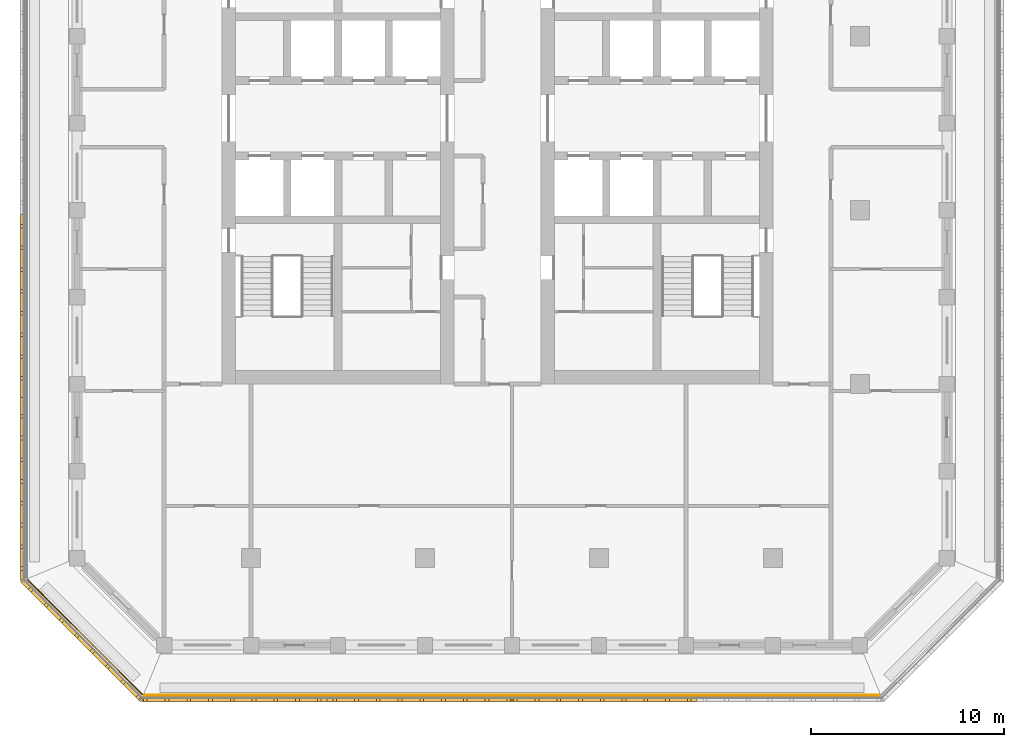
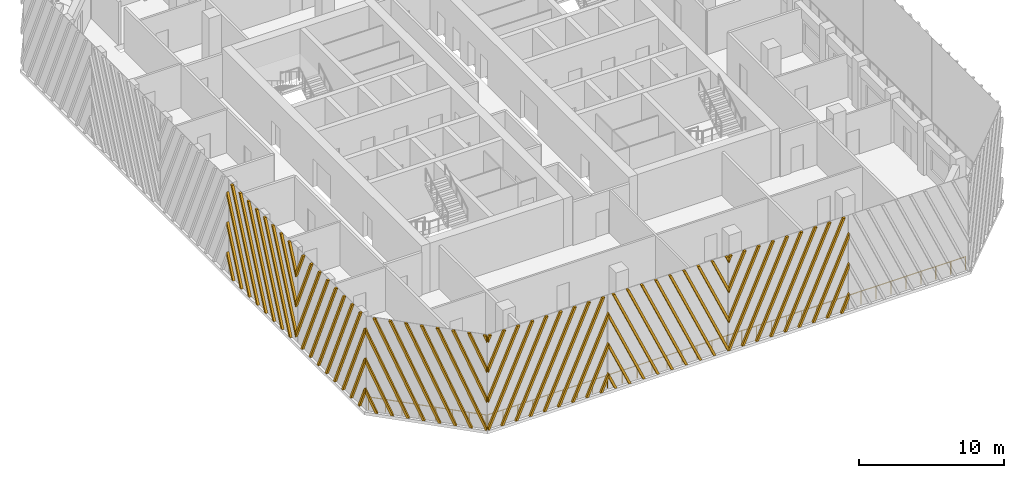
# One storey, part 9 of 17: 6 shading devices, 2 railings.
"""IFC4 building model written with IfcOpenShell, lengths in metres."""

import ifcopenshell
import ifcopenshell.guid

model = None  # the IFC model being written
_history = None  # IfcOwnerHistory: only IFC2X3 demands one
_inside = {}  # id of a spatial element -> (the spatial element, [elements in it])
_under = {}  # id of a project, library or spatial element -> (it, [spatial elements below it])
_declared = {}  # id of a project -> (the project, [libraries it declares])
_typed = {}  # id of a type object -> (the type object, [elements of that type])
_made_of = {}  # id of a material, layer set ... -> (it, [elements and type objects made of it])


def new_model(schema):
    """Start an empty IFC model of exactly this schema.

    Asked for "IFC4X3", IfcOpenShell would pick the latest addendum, in which some entities
    have other attributes; the version numbers below select the first issue.
    IFC2X3 requires an IfcOwnerHistory on every rooted entity: one is made here for all.
    """
    global model, _history
    if schema == "IFC4X3":
        model = ifcopenshell.file(schema_version=(4, 3, 0, 0))
    else:
        model = ifcopenshell.file(schema=schema)
    _inside.clear()
    _under.clear()
    _declared.clear()
    _typed.clear()
    _made_of.clear()
    _history = None
    if model.schema == "IFC2X3":
        org = make("IfcOrganization", Name="unknown")
        user = make(
            "IfcPersonAndOrganization",
            ThePerson=make("IfcPerson", FamilyName="unknown"),
            TheOrganization=org,
        )
        app = make(
            "IfcApplication",
            ApplicationDeveloper=org,
            Version="unknown",
            ApplicationFullName="unknown",
            ApplicationIdentifier="unknown",
        )
        _history = make(
            "IfcOwnerHistory",
            OwningUser=user,
            OwningApplication=app,
            ChangeAction="ADDED",
            CreationDate=0,
        )
    return model


def make(cls, **values):
    """One entity of the class cls with the attributes given. An attribute that is None is left unset."""
    return model.create_entity(
        cls, **{name: value for name, value in values.items() if value is not None}
    )


def rooted(cls, **values):
    """An entity with a GlobalId (a new one), such as an element, a storey or a relation."""
    return make(cls, GlobalId=ifcopenshell.guid.new(), OwnerHistory=_history, **values)


def si_unit(unit_type, name, prefix=None):
    """IfcSIUnit, for example si_unit("LENGTHUNIT", "METRE", prefix="MILLI")."""
    return make("IfcSIUnit", UnitType=unit_type, Prefix=prefix, Name=name)


def assignment(units):
    """IfcUnitAssignment: the units of a project."""
    return None if units is None else make("IfcUnitAssignment", Units=units)


def point(xyz):
    """IfcCartesianPoint."""
    return None if xyz is None else make("IfcCartesianPoint", Coordinates=xyz)


def direction(xyz):
    """IfcDirection."""
    return None if xyz is None else make("IfcDirection", DirectionRatios=xyz)


def frame(location, z_axis=None, x_axis=None):
    """IfcAxis2Placement3D, a coordinate frame: its origin and axes. An axis left out is left unset."""
    return make(
        "IfcAxis2Placement3D",
        Location=point(location),
        Axis=direction(z_axis),
        RefDirection=direction(x_axis),
    )


def frame_2d(location, x_axis=None):
    """IfcAxis2Placement2D, a coordinate frame in the plane: its origin and x axis."""
    return make(
        "IfcAxis2Placement2D", Location=point(location), RefDirection=direction(x_axis)
    )


def origin():
    """The frame at (0, 0, 0) with its axes left unset."""
    return frame((0.0, 0.0, 0.0))


def origin_2d():
    """The frame at (0, 0) in the plane with its x axis left unset."""
    return frame_2d((0.0, 0.0))


def place(relative_to, where):
    """IfcLocalPlacement: puts the frame where relative to a parent placement (None: the world)."""
    return make(
        "IfcLocalPlacement", PlacementRelTo=relative_to, RelativePlacement=where
    )


def context(
    kind, dimensions, precision=None, world=None, true_north=None, identifier=None
):
    """IfcGeometricRepresentationContext, for example the 3D "Model" context."""
    return make(
        "IfcGeometricRepresentationContext",
        ContextIdentifier=identifier,
        ContextType=kind,
        CoordinateSpaceDimension=dimensions,
        Precision=precision,
        WorldCoordinateSystem=world,
        TrueNorth=true_north,
    )


def subcontext(parent, identifier, kind, view, scale=None):
    """IfcGeometricRepresentationSubContext, for example "Body" below "Model"."""
    return make(
        "IfcGeometricRepresentationSubContext",
        ContextIdentifier=identifier,
        ContextType=kind,
        ParentContext=parent,
        TargetScale=scale,
        TargetView=view,
    )


def project(units=None, contexts=None):
    """IfcProject with its units and contexts."""
    return rooted(
        "IfcProject",
        Name="project",
        RepresentationContexts=contexts,
        UnitsInContext=assignment(units),
    )


def spatial(cls, under=None, at=None, **own):
    """A site, building, storey or space (cls), placed at a placement, below another one or the project."""
    s = rooted(cls, ObjectPlacement=at, **own)
    if under is not None:
        _under.setdefault(under.id(), (under, []))[1].append(s)
    return s


def polyline(points):
    """IfcPolyline through the points."""
    return make("IfcPolyline", Points=[point(p) for p in points])


def profile(cls, at=None, kind="AREA", **sizes):
    """A parametric profile (cls). Its sizes go by their IFC names, for example OverallWidth=200.0."""
    return make(cls, ProfileType=kind, Position=at, **sizes)


def circle(**sizes):
    """IfcCircleProfileDef."""
    return profile("IfcCircleProfileDef", **sizes)


def outline(outer, holes=None, kind="AREA"):
    """IfcArbitraryClosedProfileDef: a profile drawn as a closed curve; with holes, ...WithVoids."""
    if holes is None:
        return make("IfcArbitraryClosedProfileDef", ProfileType=kind, OuterCurve=outer)
    return make(
        "IfcArbitraryProfileDefWithVoids",
        ProfileType=kind,
        OuterCurve=outer,
        InnerCurves=holes,
    )


def extrude(swept, where, along, depth):
    """IfcExtrudedAreaSolid: the profile swept, set in the frame where, extruded along a direction by depth."""
    return make(
        "IfcExtrudedAreaSolid",
        SweptArea=swept,
        Position=where,
        ExtrudedDirection=direction(along),
        Depth=depth,
    )


def shape(context_of_items, identifier, shape_type, items):
    """IfcShapeRepresentation: the items that make up one representation, for example the "Body"."""
    return make(
        "IfcShapeRepresentation",
        ContextOfItems=context_of_items,
        RepresentationIdentifier=identifier,
        RepresentationType=shape_type,
        Items=items,
    )


def source(mapping_origin, context_of_items, identifier, shape_type, items):
    """IfcRepresentationMap: a shape defined once, which mapped items show again and again."""
    return make(
        "IfcRepresentationMap",
        MappingOrigin=mapping_origin,
        MappedRepresentation=shape(context_of_items, identifier, shape_type, items),
    )


def transform(
    local_origin,
    x_axis=None,
    y_axis=None,
    z_axis=None,
    scale=None,
    scale2=None,
    scale3=None,
    uniform=True,
):
    """IfcCartesianTransformationOperator3D, or its non-uniform kind. x_axis, y_axis, z_axis: its Axis1, 2, 3."""
    if uniform:
        return make(
            "IfcCartesianTransformationOperator3D",
            Axis1=direction(x_axis),
            Axis2=direction(y_axis),
            LocalOrigin=point(local_origin),
            Scale=scale,
            Axis3=direction(z_axis),
        )
    return make(
        "IfcCartesianTransformationOperator3DnonUniform",
        Axis1=direction(x_axis),
        Axis2=direction(y_axis),
        LocalOrigin=point(local_origin),
        Scale=scale,
        Axis3=direction(z_axis),
        Scale2=scale2,
        Scale3=scale3,
    )


def mapped(mapping_source, mapping_target):
    """IfcMappedItem: shows the shape of a source again, moved by a transform."""
    return make(
        "IfcMappedItem", MappingSource=mapping_source, MappingTarget=mapping_target
    )


def material(Name=None, Category=None):
    """IfcMaterial."""
    return make("IfcMaterial", Name=Name, Category=Category)


def made_of(thing, what):
    """Note that an element or type object is made of a material, layer set ...; save() writes the relation."""
    if what is not None:
        _made_of.setdefault(what.id(), (what, []))[1].append(thing)
    return thing


def type_object(cls, material=None, **own):
    """A type object (cls), such as IfcWallType, which elements share."""
    return made_of(rooted(cls, **own), material)


def element(
    cls,
    number,
    at=None,
    inside=None,
    cuts=None,
    type_object=None,
    material=None,
    context=None,
    identifier="Body",
    shape_type=None,
    held_by="IfcProductDefinitionShape",
    body=None,
    shapes=None,
    **own,
):
    """One element of the class cls, such as IfcWall. Its Tag is "e" and its number.

    at: its placement. inside: the storey or other place that contains it. cuts: it is an
    opening in that element (IfcRelVoidsElement). A single representation is given by context,
    identifier, shape_type and body (its items); several are given by shapes. held_by: the class
    of the entity that holds the representations. save() writes the other relations.
    """
    e = rooted(cls, Tag="e%d" % number, ObjectPlacement=at, **own)
    if body is not None:
        shapes = [shape(context, identifier, shape_type, body)]
    if shapes is not None:
        e.Representation = make(held_by, Representations=shapes)
    if inside is not None:
        _inside.setdefault(inside.id(), (inside, []))[1].append(e)
    if cuts is not None:
        rooted(
            "IfcRelVoidsElement", RelatingBuildingElement=cuts, RelatedOpeningElement=e
        )
    if type_object is not None:
        _typed.setdefault(type_object.id(), (type_object, []))[1].append(e)
    return made_of(e, material)


def aggregate(whole, parts):
    """IfcRelAggregates: a whole, such as a stair, and the parts it consists of."""
    return rooted("IfcRelAggregates", RelatingObject=whole, RelatedObjects=parts)


def save(model, path):
    """Write the relations noted so far, then the file.

    IfcRelAggregates (storeys below a building ...), IfcRelContainedInSpatialStructure (elements
    in a storey), IfcRelDefinesByType, IfcRelAssociatesMaterial and IfcRelDeclares: one each for
    every whole, place, type object, material and project.
    """
    for whole, parts in _under.values():
        aggregate(whole, parts)
    for where, things in _inside.values():
        rooted(
            "IfcRelContainedInSpatialStructure",
            RelatedElements=things,
            RelatingStructure=where,
        )
    for kind, things in _typed.values():
        rooted("IfcRelDefinesByType", RelatedObjects=things, RelatingType=kind)
    for what, things in _made_of.values():
        rooted("IfcRelAssociatesMaterial", RelatedObjects=things, RelatingMaterial=what)
    for by, libraries in _declared.values():
        rooted("IfcRelDeclares", RelatingContext=by, RelatedDefinitions=libraries)
    model.write(path)


model = new_model("IFC4")

# Units and contexts
model_context = context("Model", 3, precision=1e-05, world=origin(), true_north=direction((0.0, 1.0)))
body_context = subcontext(model_context, "Body", "Model", "MODEL_VIEW")
ifc_project = project(units=[si_unit("LENGTHUNIT", "METRE"), si_unit("AREAUNIT", "SQUARE_METRE"), si_unit("VOLUMEUNIT", "CUBIC_METRE"), si_unit("PLANEANGLEUNIT", "RADIAN"), si_unit("MASSUNIT", "GRAM", prefix="KILO")], contexts=[model_context])

# Site, building, storey
site_placement = place(None, origin())
site = spatial("IfcSite", under=ifc_project, at=site_placement, CompositionType="ELEMENT")
building_placement = place(site_placement, origin())
building = spatial("IfcBuilding", under=site, at=building_placement, Name="Corbel Stack Research Tower", CompositionType="ELEMENT")
storey_placement = place(building_placement, frame((0.0, 0.0, 231.60009765625)))
storey = spatial("IfcBuildingStorey", under=building, at=storey_placement, Name="L52", CompositionType="ELEMENT", Elevation=231.60009765625)

# Railings
ifc_material_1 = material(Name="Powder-coated steel guard", Category="steel")
railing_type = type_object("IfcRailingType", Name="Steel and glass guard 1100", PredefinedType="GUARDRAIL", material=ifc_material_1)
railing_1_placement = place(storey_placement, frame((-14.50537109375, -25.10009765625, 0.0)))
element("IfcRailing", 1, at=railing_1_placement, inside=storey, type_object=railing_type, Name="Loggia guard L52 S", PredefinedType="GUARDRAIL", context=body_context, shape_type="SweptSolid", body=[
    extrude(circle(Radius=0.02392578125, at=origin_2d()), frame((0.0, 0.0, 1.076171875), z_axis=(1.0, 0.0, 0.0), x_axis=(0.0, 1.0, 0.0)), (0.0, 0.0, 1.0), 38.0107421875),
    extrude(circle(Radius=0.02099609375, at=origin_2d()), origin(), (0.0, 0.0, 1.0), 1.052001953125),
    extrude(circle(Radius=0.02099609375, at=origin_2d()), frame((1.187744140625, 0.0, 0.0)), (0.0, 0.0, 1.0), 1.052001953125),
    extrude(circle(Radius=0.02099609375, at=origin_2d()), frame((2.375732421875, 0.0, 0.0)), (0.0, 0.0, 1.0), 1.052001953125),
    extrude(circle(Radius=0.02099609375, at=origin_2d()), frame((3.5634765625, 0.0, 0.0)), (0.0, 0.0, 1.0), 1.052001953125),
    extrude(circle(Radius=0.02099609375, at=origin_2d()), frame((4.75146484375, 0.0, 0.0)), (0.0, 0.0, 1.0), 1.052001953125),
    extrude(circle(Radius=0.02099609375, at=origin_2d()), frame((5.939208984375, 0.0, 0.0)), (0.0, 0.0, 1.0), 1.052001953125),
    extrude(circle(Radius=0.02099609375, at=origin_2d()), frame((7.126953125, 0.0, 0.0)), (0.0, 0.0, 1.0), 1.052001953125),
    extrude(circle(Radius=0.02099609375, at=origin_2d()), frame((8.31494140625, 0.0, 0.0)), (0.0, 0.0, 1.0), 1.052001953125),
    extrude(circle(Radius=0.02099609375, at=origin_2d()), frame((9.502685546875, 0.0, 0.0)), (0.0, 0.0, 1.0), 1.052001953125),
    extrude(circle(Radius=0.02099609375, at=origin_2d()), frame((10.6904296875, 0.0, 0.0)), (0.0, 0.0, 1.0), 1.052001953125),
    extrude(circle(Radius=0.02099609375, at=origin_2d()), frame((11.87841796875, 0.0, 0.0)), (0.0, 0.0, 1.0), 1.052001953125),
    extrude(circle(Radius=0.02099609375, at=origin_2d()), frame((13.066162109375, 0.0, 0.0)), (0.0, 0.0, 1.0), 1.052001953125),
    extrude(circle(Radius=0.02099609375, at=origin_2d()), frame((14.25390625, 0.0, 0.0)), (0.0, 0.0, 1.0), 1.052001953125),
    extrude(circle(Radius=0.02099609375, at=origin_2d()), frame((15.44189453125, 0.0, 0.0)), (0.0, 0.0, 1.0), 1.052001953125),
    extrude(circle(Radius=0.02099609375, at=origin_2d()), frame((16.629638671875, 0.0, 0.0)), (0.0, 0.0, 1.0), 1.052001953125),
    extrude(circle(Radius=0.02099609375, at=origin_2d()), frame((17.817626953125, 0.0, 0.0)), (0.0, 0.0, 1.0), 1.052001953125),
    extrude(circle(Radius=0.02099609375, at=origin_2d()), frame((19.00537109375, 0.0, 0.0)), (0.0, 0.0, 1.0), 1.052001953125),
    extrude(circle(Radius=0.02099609375, at=origin_2d()), frame((20.193115234375, 0.0, 0.0)), (0.0, 0.0, 1.0), 1.052001953125),
    extrude(circle(Radius=0.02099609375, at=origin_2d()), frame((21.381103515625, 0.0, 0.0)), (0.0, 0.0, 1.0), 1.052001953125),
    extrude(circle(Radius=0.02099609375, at=origin_2d()), frame((22.56884765625, 0.0, 0.0)), (0.0, 0.0, 1.0), 1.052001953125),
    extrude(circle(Radius=0.02099609375, at=origin_2d()), frame((23.7568359375, 0.0, 0.0)), (0.0, 0.0, 1.0), 1.052001953125),
    extrude(circle(Radius=0.02099609375, at=origin_2d()), frame((24.944580078125, 0.0, 0.0)), (0.0, 0.0, 1.0), 1.052001953125),
    extrude(circle(Radius=0.02099609375, at=origin_2d()), frame((26.13232421875, 0.0, 0.0)), (0.0, 0.0, 1.0), 1.052001953125),
    extrude(circle(Radius=0.02099609375, at=origin_2d()), frame((27.3203125, 0.0, 0.0)), (0.0, 0.0, 1.0), 1.052001953125),
    extrude(circle(Radius=0.02099609375, at=origin_2d()), frame((28.508056640625, 0.0, 0.0)), (0.0, 0.0, 1.0), 1.052001953125),
    extrude(circle(Radius=0.02099609375, at=origin_2d()), frame((29.69580078125, 0.0, 0.0)), (0.0, 0.0, 1.0), 1.052001953125),
    extrude(circle(Radius=0.02099609375, at=origin_2d()), frame((30.8837890625, 0.0, 0.0)), (0.0, 0.0, 1.0), 1.052001953125),
    extrude(circle(Radius=0.02099609375, at=origin_2d()), frame((32.071533203125, 0.0, 0.0)), (0.0, 0.0, 1.0), 1.052001953125),
    extrude(circle(Radius=0.02099609375, at=origin_2d()), frame((33.25927734375, 0.0, 0.0)), (0.0, 0.0, 1.0), 1.052001953125),
    extrude(circle(Radius=0.02099609375, at=origin_2d()), frame((34.447265625, 0.0, 0.0)), (0.0, 0.0, 1.0), 1.052001953125),
    extrude(circle(Radius=0.02099609375, at=origin_2d()), frame((35.635009765625, 0.0, 0.0)), (0.0, 0.0, 1.0), 1.052001953125),
    extrude(circle(Radius=0.02099609375, at=origin_2d()), frame((36.822998046875, 0.0, 0.0)), (0.0, 0.0, 1.0), 1.052001953125),
    extrude(circle(Radius=0.02099609375, at=origin_2d()), frame((38.0107421875, 0.0, 0.0)), (0.0, 0.0, 1.0), 1.052001953125),
])
railing_2_placement = place(storey_placement, frame((-20.54931640625, -19.127685546875, 0.0)))
element("IfcRailing", 2, at=railing_2_placement, inside=storey, type_object=railing_type, Name="Loggia guard L52 SW", PredefinedType="GUARDRAIL", context=body_context, shape_type="SweptSolid", body=[
    extrude(circle(Radius=0.02392578125, at=origin_2d()), frame((0.0, 0.0, 1.076171875), z_axis=(0.707106781187, -0.707106781187, 0.0), x_axis=(0.707106781187, 0.707106781187, 0.0)), (0.0, 0.0, 1.0), 8.37451171875),
    extrude(circle(Radius=0.02099609375, at=origin_2d()), origin(), (0.0, 0.0, 1.0), 1.052001953125),
    extrude(circle(Radius=0.02099609375, at=origin_2d()), frame((0.845947265625, -0.845947265625, 0.0)), (0.0, 0.0, 1.0), 1.052001953125),
    extrude(circle(Radius=0.02099609375, at=origin_2d()), frame((1.69189453125, -1.69189453125, 0.0)), (0.0, 0.0, 1.0), 1.052001953125),
    extrude(circle(Radius=0.02099609375, at=origin_2d()), frame((2.537841796875, -2.537841796875, 0.0)), (0.0, 0.0, 1.0), 1.052001953125),
    extrude(circle(Radius=0.02099609375, at=origin_2d()), frame((3.3837890625, -3.3837890625, 0.0)), (0.0, 0.0, 1.0), 1.052001953125),
    extrude(circle(Radius=0.02099609375, at=origin_2d()), frame((4.229736328125, -4.229736328125, 0.0)), (0.0, 0.0, 1.0), 1.052001953125),
    extrude(circle(Radius=0.02099609375, at=origin_2d()), frame((5.07568359375, -5.07568359375, 0.0)), (0.0, 0.0, 1.0), 1.052001953125),
    extrude(circle(Radius=0.02099609375, at=origin_2d()), frame((5.921630859375, -5.921630859375, 0.0)), (0.0, 0.0, 1.0), 1.052001953125),
])

# Shading devices
ifc_material_2 = material(Name="Precast terracotta", Category="masonry")
shading_device_type = type_object("IfcShadingDeviceType", Name="Terracotta screen panel", PredefinedType="USERDEFINED", material=ifc_material_2)
shared_shape_1 = source(origin(), body_context, "Body", "SweptSolid", [
    extrude(outline(polyline([(0.259521484375, 7.949951171875), (0.069580078125, 7.949951171875), (0.0, 7.793701171875), (0.0, 7.366943359375), (0.259521484375, 7.949951171875)])), frame((0.0, 0.0, 0.0), z_axis=(0.0, -1.0, 0.0), x_axis=(1.0, 0.0, 0.0)), (0.0, 0.0, 1.0), 0.179931640625),
    extrude(outline(polyline([(1.384521484375, 7.949951171875), (1.194580078125, 7.949951171875), (0.0, 5.26708984375), (0.0, 4.840087890625), (1.384521484375, 7.949951171875)])), frame((0.0, 0.0, 0.0), z_axis=(0.0, -1.0, 0.0), x_axis=(1.0, 0.0, 0.0)), (0.0, 0.0, 1.0), 0.179931640625),
    extrude(outline(polyline([(2.509521484375, 7.949951171875), (2.319580078125, 7.949951171875), (0.0, 2.740234375), (0.0, 2.3134765625), (2.509521484375, 7.949951171875)])), frame((0.0, 0.0, 0.0), z_axis=(0.0, -1.0, 0.0), x_axis=(1.0, 0.0, 0.0)), (0.0, 0.0, 1.0), 0.179931640625),
    extrude(outline(polyline([(0.094970703125, 0.0), (3.634521484375, 7.949951171875), (3.444580078125, 7.949951171875), (0.0, 0.21337890625), (0.0, 0.0), (0.094970703125, 0.0)])), frame((0.0, 0.0, 0.0), z_axis=(0.0, -1.0, 0.0), x_axis=(1.0, 0.0, 0.0)), (0.0, 0.0, 1.0), 0.179931640625),
    extrude(outline(polyline([(1.219970703125, 0.0), (4.759521484375, 7.949951171875), (4.569580078125, 7.949951171875), (1.030029296875, 0.0), (1.219970703125, 0.0)])), frame((0.0, 0.0, 0.0), z_axis=(0.0, -1.0, 0.0), x_axis=(1.0, 0.0, 0.0)), (0.0, 0.0, 1.0), 0.179931640625),
    extrude(outline(polyline([(2.344970703125, 0.0), (5.884521484375, 7.949951171875), (5.694580078125, 7.949951171875), (2.155029296875, 0.0), (2.344970703125, 0.0)])), frame((0.0, 0.0, 0.0), z_axis=(0.0, -1.0, 0.0), x_axis=(1.0, 0.0, 0.0)), (0.0, 0.0, 1.0), 0.179931640625),
    extrude(outline(polyline([(3.469970703125, 0.0), (7.009521484375, 7.949951171875), (6.819580078125, 7.949951171875), (3.280029296875, 0.0), (3.469970703125, 0.0)])), frame((0.0, 0.0, 0.0), z_axis=(0.0, -1.0, 0.0), x_axis=(1.0, 0.0, 0.0)), (0.0, 0.0, 1.0), 0.179931640625),
    extrude(outline(polyline([(4.594970703125, 0.0), (8.134521484375, 7.949951171875), (7.944580078125, 7.949951171875), (4.405029296875, 0.0), (4.594970703125, 0.0)])), frame((0.0, 0.0, 0.0), z_axis=(0.0, -1.0, 0.0), x_axis=(1.0, 0.0, 0.0)), (0.0, 0.0, 1.0), 0.179931640625),
    extrude(outline(polyline([(5.719970703125, 0.0), (9.259521484375, 7.949951171875), (9.069580078125, 7.949951171875), (5.530029296875, 0.0), (5.719970703125, 0.0)])), frame((0.0, 0.0, 0.0), z_axis=(0.0, -1.0, 0.0), x_axis=(1.0, 0.0, 0.0)), (0.0, 0.0, 1.0), 0.179931640625),
    extrude(outline(polyline([(6.844970703125, 0.0), (9.569580078125, 6.119384765625), (9.569580078125, 6.546142578125), (6.655029296875, 0.0), (6.844970703125, 0.0)])), frame((0.0, 0.0, 0.0), z_axis=(0.0, -1.0, 0.0), x_axis=(1.0, 0.0, 0.0)), (0.0, 0.0, 1.0), 0.179931640625),
    extrude(outline(polyline([(7.969970703125, 0.0), (9.569580078125, 3.592529296875), (9.569580078125, 4.019287109375), (7.780029296875, 0.0), (7.969970703125, 0.0)])), frame((0.0, 0.0, 0.0), z_axis=(0.0, -1.0, 0.0), x_axis=(1.0, 0.0, 0.0)), (0.0, 0.0, 1.0), 0.179931640625),
    extrude(outline(polyline([(9.094970703125, 0.0), (9.569580078125, 1.06591796875), (9.569580078125, 1.49267578125), (8.905029296875, 0.0), (9.094970703125, 0.0)])), frame((0.0, 0.0, 0.0), z_axis=(0.0, -1.0, 0.0), x_axis=(1.0, 0.0, 0.0)), (0.0, 0.0, 1.0), 0.179931640625),
])
for number, where, z_axis, x_axis, name in (
    (3, (-14.63916015625, -25.25, 0.0), (0.0, 0.0, 1.0), (1.0, 0.0, 0.0), "Terracotta screen L52 S1"),
    (4, (4.5, -25.25, 0.0), (0.0, 0.0, 1.0), (1.0, 0.0, 0.0), "Terracotta screen L52 S3"),
):
    element("IfcShadingDevice", number, at=place(storey_placement, frame(where, z_axis=z_axis, x_axis=x_axis)), inside=storey, type_object=shading_device_type, Name=name, ObjectType="SCREEN", PredefinedType="USERDEFINED", context=body_context, shape_type="MappedRepresentation", body=[
        mapped(shared_shape_1, transform((0.0, 0.0, 0.0))),
    ])
shared_shape_2 = source(origin(), body_context, "Body", "SweptSolid", [
    extrude(outline(polyline([(0.66455078125, 0.0), (0.0, 1.49267578125), (0.0, 1.06591796875), (0.474609375, 0.0), (0.66455078125, 0.0)])), frame((0.0, 0.0, 0.0), z_axis=(0.0, -1.0, 0.0), x_axis=(1.0, 0.0, 0.0)), (0.0, 0.0, 1.0), 0.179931640625),
    extrude(outline(polyline([(1.78955078125, 0.0), (0.0, 4.019287109375), (0.0, 3.592529296875), (1.599609375, 0.0), (1.78955078125, 0.0)])), frame((0.0, 0.0, 0.0), z_axis=(0.0, -1.0, 0.0), x_axis=(1.0, 0.0, 0.0)), (0.0, 0.0, 1.0), 0.179931640625),
    extrude(outline(polyline([(2.91455078125, 0.0), (0.0, 6.546142578125), (0.0, 6.119384765625), (2.724609375, 0.0), (2.91455078125, 0.0)])), frame((0.0, 0.0, 0.0), z_axis=(0.0, -1.0, 0.0), x_axis=(1.0, 0.0, 0.0)), (0.0, 0.0, 1.0), 0.179931640625),
    extrude(outline(polyline([(4.03955078125, 0.0), (0.5, 7.949951171875), (0.31005859375, 7.949951171875), (3.849609375, 0.0), (4.03955078125, 0.0)])), frame((0.0, 0.0, 0.0), z_axis=(0.0, -1.0, 0.0), x_axis=(1.0, 0.0, 0.0)), (0.0, 0.0, 1.0), 0.179931640625),
    extrude(outline(polyline([(5.16455078125, 0.0), (1.625, 7.949951171875), (1.43505859375, 7.949951171875), (4.974609375, 0.0), (5.16455078125, 0.0)])), frame((0.0, 0.0, 0.0), z_axis=(0.0, -1.0, 0.0), x_axis=(1.0, 0.0, 0.0)), (0.0, 0.0, 1.0), 0.179931640625),
    extrude(outline(polyline([(6.28955078125, 0.0), (2.75, 7.949951171875), (2.56005859375, 7.949951171875), (6.099609375, 0.0), (6.28955078125, 0.0)])), frame((0.0, 0.0, 0.0), z_axis=(0.0, -1.0, 0.0), x_axis=(1.0, 0.0, 0.0)), (0.0, 0.0, 1.0), 0.179931640625),
    extrude(outline(polyline([(7.41455078125, 0.0), (3.875, 7.949951171875), (3.68505859375, 7.949951171875), (7.224609375, 0.0), (7.41455078125, 0.0)])), frame((0.0, 0.0, 0.0), z_axis=(0.0, -1.0, 0.0), x_axis=(1.0, 0.0, 0.0)), (0.0, 0.0, 1.0), 0.179931640625),
    extrude(outline(polyline([(8.53955078125, 0.0), (5.0, 7.949951171875), (4.81005859375, 7.949951171875), (8.349609375, 0.0), (8.53955078125, 0.0)])), frame((0.0, 0.0, 0.0), z_axis=(0.0, -1.0, 0.0), x_axis=(1.0, 0.0, 0.0)), (0.0, 0.0, 1.0), 0.179931640625),
    extrude(outline(polyline([(9.569580078125, 0.0), (9.569580078125, 0.21337890625), (6.125, 7.949951171875), (5.93505859375, 7.949951171875), (9.474609375, 0.0), (9.569580078125, 0.0)])), frame((0.0, 0.0, 0.0), z_axis=(0.0, -1.0, 0.0), x_axis=(1.0, 0.0, 0.0)), (0.0, 0.0, 1.0), 0.179931640625),
    extrude(outline(polyline([(7.25, 7.949951171875), (7.06005859375, 7.949951171875), (9.569580078125, 2.3134765625), (9.569580078125, 2.740234375), (7.25, 7.949951171875)])), frame((0.0, 0.0, 0.0), z_axis=(0.0, -1.0, 0.0), x_axis=(1.0, 0.0, 0.0)), (0.0, 0.0, 1.0), 0.179931640625),
    extrude(outline(polyline([(8.375, 7.949951171875), (8.18505859375, 7.949951171875), (9.569580078125, 4.840087890625), (9.569580078125, 5.26708984375), (8.375, 7.949951171875)])), frame((0.0, 0.0, 0.0), z_axis=(0.0, -1.0, 0.0), x_axis=(1.0, 0.0, 0.0)), (0.0, 0.0, 1.0), 0.179931640625),
    extrude(outline(polyline([(9.5, 7.949951171875), (9.31005859375, 7.949951171875), (9.569580078125, 7.366943359375), (9.569580078125, 7.793701171875), (9.5, 7.949951171875)])), frame((0.0, 0.0, 0.0), z_axis=(0.0, -1.0, 0.0), x_axis=(1.0, 0.0, 0.0)), (0.0, 0.0, 1.0), 0.179931640625),
])
shading_device_1_placement = place(storey_placement, frame((-5.069580078125, -25.25, 0.0), z_axis=(0.0, 0.0, 1.0), x_axis=(1.0, 0.0, 0.0)))
element("IfcShadingDevice", 5, at=shading_device_1_placement, inside=storey, type_object=shading_device_type, Name="Terracotta screen L52 S2", ObjectType="SCREEN", PredefinedType="USERDEFINED", context=body_context, shape_type="MappedRepresentation", body=[
    mapped(shared_shape_2, transform((0.0, 0.0, 0.0))),
])
shared_shape_3 = source(origin(), body_context, "Body", "SweptSolid", [
    extrude(outline(polyline([(0.862060546875, 0.0), (0.0, 1.936279296875), (0.0, 1.509521484375), (0.672119140625, 0.0), (0.862060546875, 0.0)])), frame((0.0, 0.0, 0.0), z_axis=(0.0, -1.0, 0.0), x_axis=(1.0, 0.0, 0.0)), (0.0, 0.0, 1.0), 0.179931640625),
    extrude(outline(polyline([(1.987060546875, 0.0), (0.0, 4.463134765625), (0.0, 4.036376953125), (1.797119140625, 0.0), (1.987060546875, 0.0)])), frame((0.0, 0.0, 0.0), z_axis=(0.0, -1.0, 0.0), x_axis=(1.0, 0.0, 0.0)), (0.0, 0.0, 1.0), 0.179931640625),
    extrude(outline(polyline([(3.112060546875, 0.0), (0.0, 6.989990234375), (0.0, 6.563232421875), (2.922119140625, 0.0), (3.112060546875, 0.0)])), frame((0.0, 0.0, 0.0), z_axis=(0.0, -1.0, 0.0), x_axis=(1.0, 0.0, 0.0)), (0.0, 0.0, 1.0), 0.179931640625),
    extrude(outline(polyline([(4.237060546875, 0.0), (0.697509765625, 7.949951171875), (0.507568359375, 7.949951171875), (4.047119140625, 0.0), (4.237060546875, 0.0)])), frame((0.0, 0.0, 0.0), z_axis=(0.0, -1.0, 0.0), x_axis=(1.0, 0.0, 0.0)), (0.0, 0.0, 1.0), 0.179931640625),
    extrude(outline(polyline([(5.362060546875, 0.0), (1.822509765625, 7.949951171875), (1.632568359375, 7.949951171875), (5.172119140625, 0.0), (5.362060546875, 0.0)])), frame((0.0, 0.0, 0.0), z_axis=(0.0, -1.0, 0.0), x_axis=(1.0, 0.0, 0.0)), (0.0, 0.0, 1.0), 0.179931640625),
    extrude(outline(polyline([(6.487060546875, 0.0), (2.947509765625, 7.949951171875), (2.757568359375, 7.949951171875), (6.297119140625, 0.0), (6.487060546875, 0.0)])), frame((0.0, 0.0, 0.0), z_axis=(0.0, -1.0, 0.0), x_axis=(1.0, 0.0, 0.0)), (0.0, 0.0, 1.0), 0.179931640625),
    extrude(outline(polyline([(7.612060546875, 0.0), (4.072509765625, 7.949951171875), (3.882568359375, 7.949951171875), (7.422119140625, 0.0), (7.612060546875, 0.0)])), frame((0.0, 0.0, 0.0), z_axis=(0.0, -1.0, 0.0), x_axis=(1.0, 0.0, 0.0)), (0.0, 0.0, 1.0), 0.179931640625),
    extrude(outline(polyline([(8.737060546875, 0.0), (5.197509765625, 7.949951171875), (5.007568359375, 7.949951171875), (8.547119140625, 0.0), (8.737060546875, 0.0)])), frame((0.0, 0.0, 0.0), z_axis=(0.0, -1.0, 0.0), x_axis=(1.0, 0.0, 0.0)), (0.0, 0.0, 1.0), 0.179931640625),
    extrude(outline(polyline([(6.322509765625, 7.949951171875), (6.132568359375, 7.949951171875), (9.45556640625, 0.486328125), (9.45556640625, 0.9130859375), (6.322509765625, 7.949951171875)])), frame((0.0, 0.0, 0.0), z_axis=(0.0, -1.0, 0.0), x_axis=(1.0, 0.0, 0.0)), (0.0, 0.0, 1.0), 0.179931640625),
    extrude(outline(polyline([(7.447509765625, 7.949951171875), (7.257568359375, 7.949951171875), (9.45556640625, 3.01318359375), (9.45556640625, 3.439697265625), (7.447509765625, 7.949951171875)])), frame((0.0, 0.0, 0.0), z_axis=(0.0, -1.0, 0.0), x_axis=(1.0, 0.0, 0.0)), (0.0, 0.0, 1.0), 0.179931640625),
    extrude(outline(polyline([(8.572509765625, 7.949951171875), (8.382568359375, 7.949951171875), (9.45556640625, 5.539794921875), (9.45556640625, 5.966552734375), (8.572509765625, 7.949951171875)])), frame((0.0, 0.0, 0.0), z_axis=(0.0, -1.0, 0.0), x_axis=(1.0, 0.0, 0.0)), (0.0, 0.0, 1.0), 0.179931640625),
])
shading_device_2_placement = place(storey_placement, frame((-20.75, -0.227783203125, 0.0), z_axis=(0.0, 0.0, 1.0), x_axis=(0.0, -1.0, 0.0)))
element("IfcShadingDevice", 6, at=shading_device_2_placement, inside=storey, type_object=shading_device_type, Name="Terracotta screen L52 W4", ObjectType="SCREEN", PredefinedType="USERDEFINED", context=body_context, shape_type="MappedRepresentation", body=[
    mapped(shared_shape_3, transform((0.0, 0.0, 0.0))),
])
shared_shape_4 = source(origin(), body_context, "Body", "SweptSolid", [
    extrude(outline(polyline([(1.072998046875, 7.949951171875), (0.883056640625, 7.949951171875), (0.0, 5.966552734375), (0.0, 5.539794921875), (1.072998046875, 7.949951171875)])), frame((0.0, 0.0, 0.0), z_axis=(0.0, -1.0, 0.0), x_axis=(1.0, 0.0, 0.0)), (0.0, 0.0, 1.0), 0.179931640625),
    extrude(outline(polyline([(2.197998046875, 7.949951171875), (2.008056640625, 7.949951171875), (0.0, 3.439697265625), (0.0, 3.01318359375), (2.197998046875, 7.949951171875)])), frame((0.0, 0.0, 0.0), z_axis=(0.0, -1.0, 0.0), x_axis=(1.0, 0.0, 0.0)), (0.0, 0.0, 1.0), 0.179931640625),
    extrude(outline(polyline([(3.322998046875, 7.949951171875), (3.133056640625, 7.949951171875), (0.0, 0.9130859375), (0.0, 0.486328125), (3.322998046875, 7.949951171875)])), frame((0.0, 0.0, 0.0), z_axis=(0.0, -1.0, 0.0), x_axis=(1.0, 0.0, 0.0)), (0.0, 0.0, 1.0), 0.179931640625),
    extrude(outline(polyline([(0.908447265625, 0.0), (4.447998046875, 7.949951171875), (4.258056640625, 7.949951171875), (0.718505859375, 0.0), (0.908447265625, 0.0)])), frame((0.0, 0.0, 0.0), z_axis=(0.0, -1.0, 0.0), x_axis=(1.0, 0.0, 0.0)), (0.0, 0.0, 1.0), 0.179931640625),
    extrude(outline(polyline([(2.033447265625, 0.0), (5.572998046875, 7.949951171875), (5.383056640625, 7.949951171875), (1.843505859375, 0.0), (2.033447265625, 0.0)])), frame((0.0, 0.0, 0.0), z_axis=(0.0, -1.0, 0.0), x_axis=(1.0, 0.0, 0.0)), (0.0, 0.0, 1.0), 0.179931640625),
    extrude(outline(polyline([(3.158447265625, 0.0), (6.697998046875, 7.949951171875), (6.508056640625, 7.949951171875), (2.968505859375, 0.0), (3.158447265625, 0.0)])), frame((0.0, 0.0, 0.0), z_axis=(0.0, -1.0, 0.0), x_axis=(1.0, 0.0, 0.0)), (0.0, 0.0, 1.0), 0.179931640625),
    extrude(outline(polyline([(4.283447265625, 0.0), (7.822998046875, 7.949951171875), (7.633056640625, 7.949951171875), (4.093505859375, 0.0), (4.283447265625, 0.0)])), frame((0.0, 0.0, 0.0), z_axis=(0.0, -1.0, 0.0), x_axis=(1.0, 0.0, 0.0)), (0.0, 0.0, 1.0), 0.179931640625),
    extrude(outline(polyline([(5.408447265625, 0.0), (8.947998046875, 7.949951171875), (8.758056640625, 7.949951171875), (5.218505859375, 0.0), (5.408447265625, 0.0)])), frame((0.0, 0.0, 0.0), z_axis=(0.0, -1.0, 0.0), x_axis=(1.0, 0.0, 0.0)), (0.0, 0.0, 1.0), 0.179931640625),
    extrude(outline(polyline([(6.533447265625, 0.0), (9.45556640625, 6.563232421875), (9.45556640625, 6.989990234375), (6.343505859375, 0.0), (6.533447265625, 0.0)])), frame((0.0, 0.0, 0.0), z_axis=(0.0, -1.0, 0.0), x_axis=(1.0, 0.0, 0.0)), (0.0, 0.0, 1.0), 0.179931640625),
    extrude(outline(polyline([(7.658447265625, 0.0), (9.45556640625, 4.036376953125), (9.45556640625, 4.463134765625), (7.468505859375, 0.0), (7.658447265625, 0.0)])), frame((0.0, 0.0, 0.0), z_axis=(0.0, -1.0, 0.0), x_axis=(1.0, 0.0, 0.0)), (0.0, 0.0, 1.0), 0.179931640625),
    extrude(outline(polyline([(8.783447265625, 0.0), (9.45556640625, 1.509521484375), (9.45556640625, 1.936279296875), (8.593505859375, 0.0), (8.783447265625, 0.0)])), frame((0.0, 0.0, 0.0), z_axis=(0.0, -1.0, 0.0), x_axis=(1.0, 0.0, 0.0)), (0.0, 0.0, 1.0), 0.179931640625),
])
shading_device_3_placement = place(storey_placement, frame((-20.75, -9.68359375, 0.0), z_axis=(0.0, 0.0, 1.0), x_axis=(0.0, -1.0, 0.0)))
element("IfcShadingDevice", 7, at=shading_device_3_placement, inside=storey, type_object=shading_device_type, Name="Terracotta screen L52 W5", ObjectType="SCREEN", PredefinedType="USERDEFINED", context=body_context, shape_type="MappedRepresentation", body=[
    mapped(shared_shape_4, transform((0.0, 0.0, 0.0))),
])
shared_shape_5 = source(origin(), body_context, "Body", "SweptSolid", [
    extrude(outline(polyline([(0.862060546875, 0.0), (0.0, 1.936279296875), (0.0, 1.509521484375), (0.672119140625, 0.0), (0.862060546875, 0.0)])), frame((0.0, 0.0, 0.0), z_axis=(0.0, -1.0, 0.0), x_axis=(1.0, 0.0, 0.0)), (0.0, 0.0, 1.0), 0.179931640625),
    extrude(outline(polyline([(1.987060546875, 0.0), (0.0, 4.463134765625), (0.0, 4.036376953125), (1.797119140625, 0.0), (1.987060546875, 0.0)])), frame((0.0, 0.0, 0.0), z_axis=(0.0, -1.0, 0.0), x_axis=(1.0, 0.0, 0.0)), (0.0, 0.0, 1.0), 0.179931640625),
    extrude(outline(polyline([(3.112060546875, 0.0), (0.0, 6.989990234375), (0.0, 6.563232421875), (2.922119140625, 0.0), (3.112060546875, 0.0)])), frame((0.0, 0.0, 0.0), z_axis=(0.0, -1.0, 0.0), x_axis=(1.0, 0.0, 0.0)), (0.0, 0.0, 1.0), 0.179931640625),
    extrude(outline(polyline([(4.237060546875, 0.0), (0.697509765625, 7.949951171875), (0.507568359375, 7.949951171875), (4.047119140625, 0.0), (4.237060546875, 0.0)])), frame((0.0, 0.0, 0.0), z_axis=(0.0, -1.0, 0.0), x_axis=(1.0, 0.0, 0.0)), (0.0, 0.0, 1.0), 0.179931640625),
    extrude(outline(polyline([(5.362060546875, 0.0), (1.822509765625, 7.949951171875), (1.632568359375, 7.949951171875), (5.172119140625, 0.0), (5.362060546875, 0.0)])), frame((0.0, 0.0, 0.0), z_axis=(0.0, -1.0, 0.0), x_axis=(1.0, 0.0, 0.0)), (0.0, 0.0, 1.0), 0.179931640625),
    extrude(outline(polyline([(6.487060546875, 0.0), (2.947509765625, 7.949951171875), (2.757568359375, 7.949951171875), (6.297119140625, 0.0), (6.487060546875, 0.0)])), frame((0.0, 0.0, 0.0), z_axis=(0.0, -1.0, 0.0), x_axis=(1.0, 0.0, 0.0)), (0.0, 0.0, 1.0), 0.179931640625),
    extrude(outline(polyline([(7.612060546875, 0.0), (4.072509765625, 7.949951171875), (3.882568359375, 7.949951171875), (7.422119140625, 0.0), (7.612060546875, 0.0)])), frame((0.0, 0.0, 0.0), z_axis=(0.0, -1.0, 0.0), x_axis=(1.0, 0.0, 0.0)), (0.0, 0.0, 1.0), 0.179931640625),
    extrude(outline(polyline([(8.64208984375, 0.0), (8.64208984375, 0.21337890625), (5.197509765625, 7.949951171875), (5.007568359375, 7.949951171875), (8.547119140625, 0.0), (8.64208984375, 0.0)])), frame((0.0, 0.0, 0.0), z_axis=(0.0, -1.0, 0.0), x_axis=(1.0, 0.0, 0.0)), (0.0, 0.0, 1.0), 0.179931640625),
    extrude(outline(polyline([(6.322509765625, 7.949951171875), (6.132568359375, 7.949951171875), (8.64208984375, 2.3134765625), (8.64208984375, 2.740234375), (6.322509765625, 7.949951171875)])), frame((0.0, 0.0, 0.0), z_axis=(0.0, -1.0, 0.0), x_axis=(1.0, 0.0, 0.0)), (0.0, 0.0, 1.0), 0.179931640625),
    extrude(outline(polyline([(7.447509765625, 7.949951171875), (7.257568359375, 7.949951171875), (8.64208984375, 4.840087890625), (8.64208984375, 5.26708984375), (7.447509765625, 7.949951171875)])), frame((0.0, 0.0, 0.0), z_axis=(0.0, -1.0, 0.0), x_axis=(1.0, 0.0, 0.0)), (0.0, 0.0, 1.0), 0.179931640625),
    extrude(outline(polyline([(8.572509765625, 7.949951171875), (8.382568359375, 7.949951171875), (8.64208984375, 7.366943359375), (8.64208984375, 7.793701171875), (8.572509765625, 7.949951171875)])), frame((0.0, 0.0, 0.0), z_axis=(0.0, -1.0, 0.0), x_axis=(1.0, 0.0, 0.0)), (0.0, 0.0, 1.0), 0.179931640625),
])
shading_device_4_placement = place(storey_placement, frame((-20.75, -19.13916015625, 0.0), z_axis=(0.0, 0.0, 1.0), x_axis=(0.707106781187, -0.707106781187, 0.0)))
element("IfcShadingDevice", 8, at=shading_device_4_placement, inside=storey, type_object=shading_device_type, Name="Terracotta screen L52 SW1", ObjectType="SCREEN", PredefinedType="USERDEFINED", context=body_context, shape_type="MappedRepresentation", body=[
    mapped(shared_shape_5, transform((0.0, 0.0, 0.0))),
])

save(model, "model.ifc")
